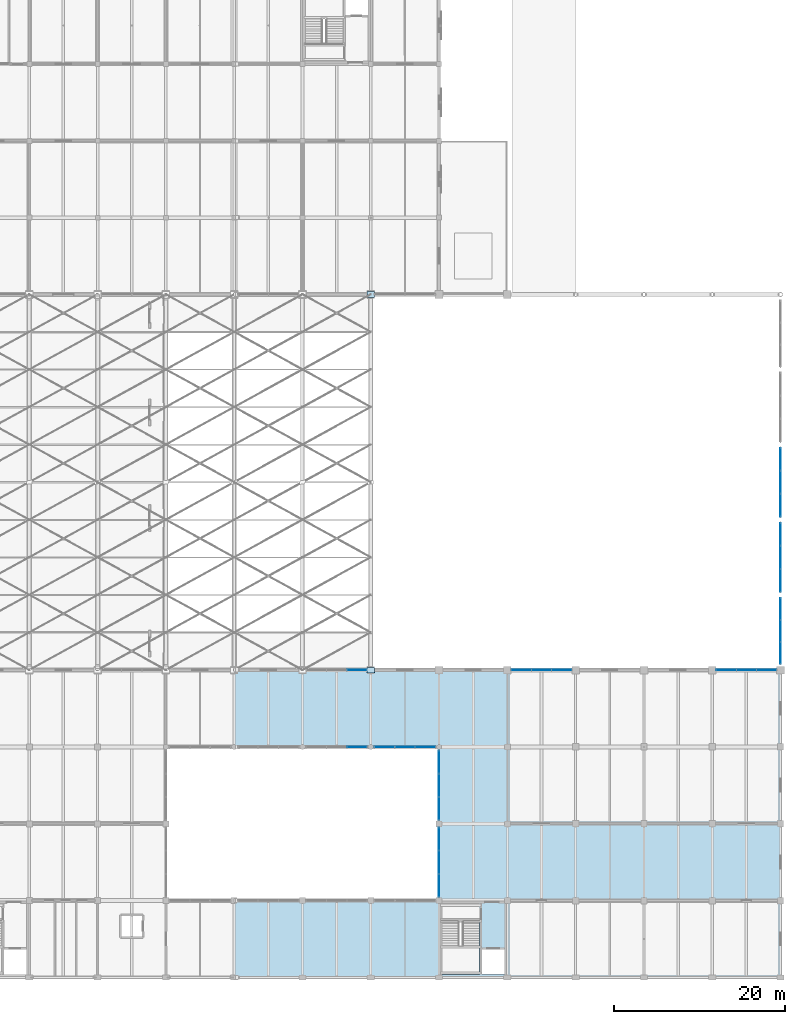
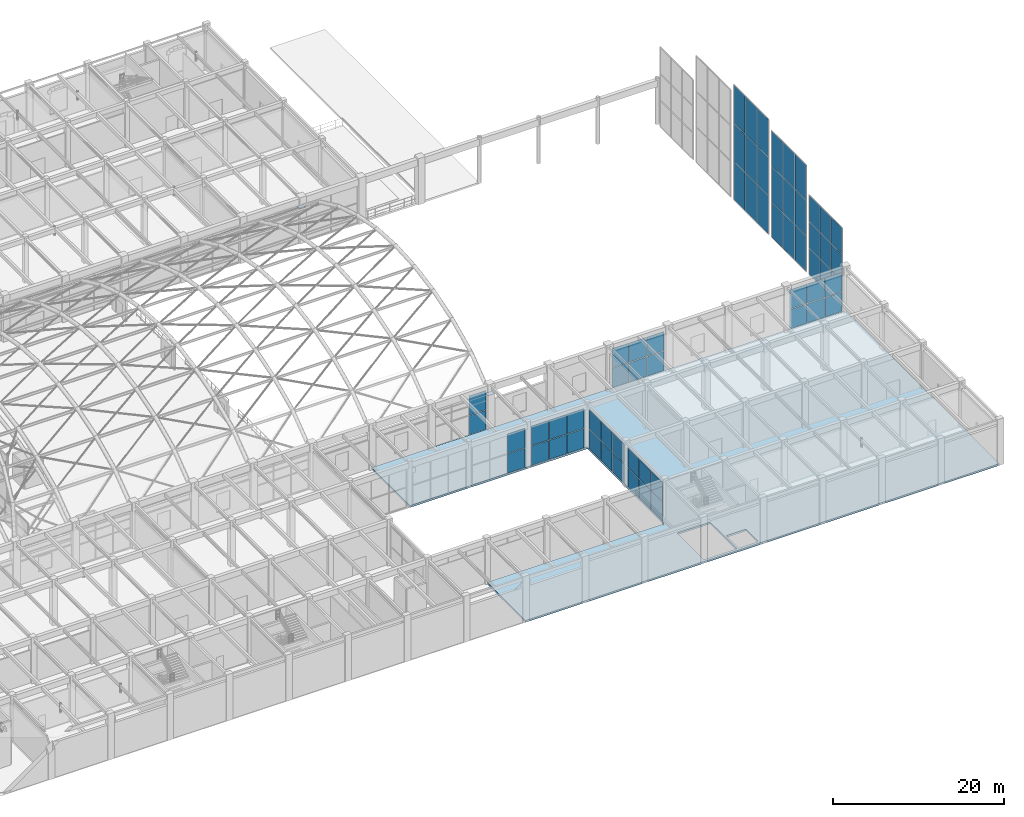
# One storey, part 118 of 163: 63 plates, 1 slab, 10 elements without a shape of their own.
"""IFC4 building model written with IfcOpenShell, lengths in metres."""

from ifc_helpers import new_model, si_unit, direction, frame, origin, origin_2d, place, context, subcontext, project, spatial, polyline, rectangle, outline, extrude, material, layer, layer_set, type_object, element, aggregate, save


model = new_model("IFC4")

# Units and contexts
model_context = context("Model", 3, precision=1e-05, world=origin(), true_north=direction((0.0, 1.0)))
body_context = subcontext(model_context, "Body", "Model", "MODEL_VIEW")
ifc_project = project(units=[si_unit("LENGTHUNIT", "METRE"), si_unit("AREAUNIT", "SQUARE_METRE"), si_unit("VOLUMEUNIT", "CUBIC_METRE"), si_unit("PLANEANGLEUNIT", "RADIAN"), si_unit("MASSUNIT", "GRAM", prefix="KILO")], contexts=[model_context])

# Site, building, storey
site_placement = place(None, origin())
site = spatial("IfcSite", under=ifc_project, at=site_placement, CompositionType="ELEMENT")
building_placement = place(site_placement, origin())
building = spatial("IfcBuilding", under=site, at=building_placement, Name="Varnabhumi Central Station", CompositionType="ELEMENT")
storey_placement = place(building_placement, frame((0.0, 0.0, 9.60009765625)))
storey = spatial("IfcBuildingStorey", under=building, at=storey_placement, Name="L02", CompositionType="ELEMENT", Elevation=9.60009765625)

# Curtain wall, plates
ifc_material_1 = material(Name="Anodised aluminium 6063-T6", Category="aluminium")
curtain_wall_type_1 = type_object("IfcCurtainWallType", Name="CW-SPINE-SCREEN-L2", PredefinedType="NOTDEFINED", material=ifc_material_1)
curtain_wall_1_placement = place(storey_placement, origin())
curtain_wall_1 = element("IfcCurtainWall", 1, at=curtain_wall_1_placement, inside=storey, type_object=curtain_wall_type_1, Name="Curtain Wall CW-SS218", PredefinedType="NOTDEFINED")
ifc_material_2 = material(Name="Laminated low-E double glazing", Category="glass")
ifc_layer_1 = layer(ifc_material_2, 0.035888671875, Name="Laminated low-E double glazing", Category="glass")
ifc_layer_set_1 = layer_set([ifc_layer_1], Name="Laminated low-E double glazing")
plate_type_1 = type_object("IfcPlateType", Name="CW-PNL-GLZ-3", PredefinedType="CURTAIN_PANEL", material=ifc_layer_set_1)
plate_1_placement = place(storey_placement, frame((177.63330078125, 36.0, 0.0400390625), z_axis=(0.0, 0.0, 1.0), x_axis=(1.0, 0.0, 0.0)))
plate_1 = element("IfcPlate", 2, at=plate_1_placement, type_object=plate_type_1, Name="Glazed Panel CW-SS218-P11", PredefinedType="CURTAIN_PANEL", context=body_context, shape_type="SweptSolid", body=[
    extrude(rectangle(XDim=2.28662109375, YDim=0.035888671875, at=origin_2d()), origin(), (0.0, 0.0, 1.0), 2.739990234375),
])
plate_2_placement = place(storey_placement, frame((177.63330078125, 36.0, 2.85986328125), z_axis=(0.0, 0.0, 1.0), x_axis=(1.0, 0.0, 0.0)))
plate_2 = element("IfcPlate", 3, at=plate_2_placement, type_object=plate_type_1, Name="Glazed Panel CW-SS218-P12", PredefinedType="CURTAIN_PANEL", context=body_context, shape_type="SweptSolid", body=[
    extrude(rectangle(XDim=2.28662109375, YDim=0.035888671875, at=origin_2d()), origin(), (0.0, 0.0, 1.0), 2.739990234375),
])
plate_3_placement = place(storey_placement, frame((180.0, 36.0, 0.0400390625), z_axis=(0.0, 0.0, 1.0), x_axis=(1.0, 0.0, 0.0)))
plate_3 = element("IfcPlate", 4, at=plate_3_placement, type_object=plate_type_1, Name="Glazed Panel CW-SS218-P21", PredefinedType="CURTAIN_PANEL", context=body_context, shape_type="SweptSolid", body=[
    extrude(rectangle(XDim=2.28662109375, YDim=0.035888671875, at=origin_2d()), origin(), (0.0, 0.0, 1.0), 2.739990234375),
])
plate_4_placement = place(storey_placement, frame((180.0, 36.0, 2.85986328125), z_axis=(0.0, 0.0, 1.0), x_axis=(1.0, 0.0, 0.0)))
plate_4 = element("IfcPlate", 5, at=plate_4_placement, type_object=plate_type_1, Name="Glazed Panel CW-SS218-P22", PredefinedType="CURTAIN_PANEL", context=body_context, shape_type="SweptSolid", body=[
    extrude(rectangle(XDim=2.28662109375, YDim=0.035888671875, at=origin_2d()), origin(), (0.0, 0.0, 1.0), 2.739990234375),
])
plate_5_placement = place(storey_placement, frame((182.36669921875, 36.0, 0.0400390625), z_axis=(0.0, 0.0, 1.0), x_axis=(1.0, 0.0, 0.0)))
plate_5 = element("IfcPlate", 6, at=plate_5_placement, type_object=plate_type_1, Name="Glazed Panel CW-SS218-P31", PredefinedType="CURTAIN_PANEL", context=body_context, shape_type="SweptSolid", body=[
    extrude(rectangle(XDim=2.28662109375, YDim=0.035888671875, at=origin_2d()), origin(), (0.0, 0.0, 1.0), 2.739990234375),
])
plate_6_placement = place(storey_placement, frame((182.36669921875, 36.0, 2.85986328125), z_axis=(0.0, 0.0, 1.0), x_axis=(1.0, 0.0, 0.0)))
plate_6 = element("IfcPlate", 7, at=plate_6_placement, type_object=plate_type_1, Name="Glazed Panel CW-SS218-P32", PredefinedType="CURTAIN_PANEL", context=body_context, shape_type="SweptSolid", body=[
    extrude(rectangle(XDim=2.28662109375, YDim=0.035888671875, at=origin_2d()), origin(), (0.0, 0.0, 1.0), 2.739990234375),
])
aggregate(curtain_wall_1, [plate_1, plate_2, plate_3, plate_4, plate_5, plate_6])

curtain_wall_type_2 = type_object("IfcCurtainWallType", Name="CW-PATIO-LOGGIA-L2", PredefinedType="NOTDEFINED", material=ifc_material_1)
curtain_wall_2_placement = place(storey_placement, origin())
curtain_wall_2 = element("IfcCurtainWall", 8, at=curtain_wall_2_placement, inside=storey, type_object=curtain_wall_type_2, Name="Curtain Wall CW-SP2W1", PredefinedType="NOTDEFINED")
plate_7_placement = place(storey_placement, frame((144.0, 10.780029296875, 0.0400390625), z_axis=(0.0, 0.0, 1.0), x_axis=(0.0, 1.0, 0.0)))
plate_7 = element("IfcPlate", 9, at=plate_7_placement, type_object=plate_type_1, Name="Glazed Panel CW-SP2W1-P11", PredefinedType="CURTAIN_PANEL", context=body_context, shape_type="SweptSolid", body=[
    extrude(rectangle(XDim=2.639892578125, YDim=0.035888671875, at=origin_2d()), origin(), (0.0, 0.0, 1.0), 2.739990234375),
])
plate_8_placement = place(storey_placement, frame((144.0, 10.780029296875, 2.85986328125), z_axis=(0.0, 0.0, 1.0), x_axis=(0.0, 1.0, 0.0)))
plate_8 = element("IfcPlate", 10, at=plate_8_placement, type_object=plate_type_1, Name="Glazed Panel CW-SP2W1-P12", PredefinedType="CURTAIN_PANEL", context=body_context, shape_type="SweptSolid", body=[
    extrude(rectangle(XDim=2.639892578125, YDim=0.035888671875, at=origin_2d()), origin(), (0.0, 0.0, 1.0), 2.739990234375),
])
plate_9_placement = place(storey_placement, frame((144.0, 13.5, 0.0400390625), z_axis=(0.0, 0.0, 1.0), x_axis=(0.0, 1.0, 0.0)))
plate_9 = element("IfcPlate", 11, at=plate_9_placement, type_object=plate_type_1, Name="Glazed Panel CW-SP2W1-P21", PredefinedType="CURTAIN_PANEL", context=body_context, shape_type="SweptSolid", body=[
    extrude(rectangle(XDim=2.639892578125, YDim=0.035888671875, at=origin_2d()), origin(), (0.0, 0.0, 1.0), 2.739990234375),
])
plate_10_placement = place(storey_placement, frame((144.0, 13.5, 2.85986328125), z_axis=(0.0, 0.0, 1.0), x_axis=(0.0, 1.0, 0.0)))
plate_10 = element("IfcPlate", 12, at=plate_10_placement, type_object=plate_type_1, Name="Glazed Panel CW-SP2W1-P22", PredefinedType="CURTAIN_PANEL", context=body_context, shape_type="SweptSolid", body=[
    extrude(rectangle(XDim=2.639892578125, YDim=0.035888671875, at=origin_2d()), origin(), (0.0, 0.0, 1.0), 2.739990234375),
])
plate_11_placement = place(storey_placement, frame((144.0, 16.219970703125, 0.0400390625), z_axis=(0.0, 0.0, 1.0), x_axis=(0.0, 1.0, 0.0)))
plate_11 = element("IfcPlate", 13, at=plate_11_placement, type_object=plate_type_1, Name="Glazed Panel CW-SP2W1-P31", PredefinedType="CURTAIN_PANEL", context=body_context, shape_type="SweptSolid", body=[
    extrude(rectangle(XDim=2.639892578125, YDim=0.035888671875, at=origin_2d()), origin(), (0.0, 0.0, 1.0), 2.739990234375),
])
plate_12_placement = place(storey_placement, frame((144.0, 16.219970703125, 2.85986328125), z_axis=(0.0, 0.0, 1.0), x_axis=(0.0, 1.0, 0.0)))
plate_12 = element("IfcPlate", 14, at=plate_12_placement, type_object=plate_type_1, Name="Glazed Panel CW-SP2W1-P32", PredefinedType="CURTAIN_PANEL", context=body_context, shape_type="SweptSolid", body=[
    extrude(rectangle(XDim=2.639892578125, YDim=0.035888671875, at=origin_2d()), origin(), (0.0, 0.0, 1.0), 2.739990234375),
])
aggregate(curtain_wall_2, [plate_7, plate_8, plate_9, plate_10, plate_11, plate_12])

curtain_wall_3_placement = place(storey_placement, origin())
curtain_wall_3 = element("IfcCurtainWall", 15, at=curtain_wall_3_placement, inside=storey, type_object=curtain_wall_type_2, Name="Curtain Wall CW-SP2W2", PredefinedType="NOTDEFINED")
plate_13_placement = place(storey_placement, frame((144.0, 19.780029296875, 0.0400390625), z_axis=(0.0, 0.0, 1.0), x_axis=(0.0, 1.0, 0.0)))
plate_13 = element("IfcPlate", 16, at=plate_13_placement, type_object=plate_type_1, Name="Glazed Panel CW-SP2W2-P11", PredefinedType="CURTAIN_PANEL", context=body_context, shape_type="SweptSolid", body=[
    extrude(rectangle(XDim=2.639892578125, YDim=0.035888671875, at=origin_2d()), origin(), (0.0, 0.0, 1.0), 2.739990234375),
])
plate_14_placement = place(storey_placement, frame((144.0, 19.780029296875, 2.85986328125), z_axis=(0.0, 0.0, 1.0), x_axis=(0.0, 1.0, 0.0)))
plate_14 = element("IfcPlate", 17, at=plate_14_placement, type_object=plate_type_1, Name="Glazed Panel CW-SP2W2-P12", PredefinedType="CURTAIN_PANEL", context=body_context, shape_type="SweptSolid", body=[
    extrude(rectangle(XDim=2.639892578125, YDim=0.035888671875, at=origin_2d()), origin(), (0.0, 0.0, 1.0), 2.739990234375),
])
plate_15_placement = place(storey_placement, frame((144.0, 22.5, 0.0400390625), z_axis=(0.0, 0.0, 1.0), x_axis=(0.0, 1.0, 0.0)))
plate_15 = element("IfcPlate", 18, at=plate_15_placement, type_object=plate_type_1, Name="Glazed Panel CW-SP2W2-P21", PredefinedType="CURTAIN_PANEL", context=body_context, shape_type="SweptSolid", body=[
    extrude(rectangle(XDim=2.639892578125, YDim=0.035888671875, at=origin_2d()), origin(), (0.0, 0.0, 1.0), 2.739990234375),
])
plate_16_placement = place(storey_placement, frame((144.0, 22.5, 2.85986328125), z_axis=(0.0, 0.0, 1.0), x_axis=(0.0, 1.0, 0.0)))
plate_16 = element("IfcPlate", 19, at=plate_16_placement, type_object=plate_type_1, Name="Glazed Panel CW-SP2W2-P22", PredefinedType="CURTAIN_PANEL", context=body_context, shape_type="SweptSolid", body=[
    extrude(rectangle(XDim=2.639892578125, YDim=0.035888671875, at=origin_2d()), origin(), (0.0, 0.0, 1.0), 2.739990234375),
])
plate_17_placement = place(storey_placement, frame((144.0, 25.219970703125, 0.0400390625), z_axis=(0.0, 0.0, 1.0), x_axis=(0.0, 1.0, 0.0)))
plate_17 = element("IfcPlate", 20, at=plate_17_placement, type_object=plate_type_1, Name="Glazed Panel CW-SP2W2-P31", PredefinedType="CURTAIN_PANEL", context=body_context, shape_type="SweptSolid", body=[
    extrude(rectangle(XDim=2.639892578125, YDim=0.035888671875, at=origin_2d()), origin(), (0.0, 0.0, 1.0), 2.739990234375),
])
plate_18_placement = place(storey_placement, frame((144.0, 25.219970703125, 2.85986328125), z_axis=(0.0, 0.0, 1.0), x_axis=(0.0, 1.0, 0.0)))
plate_18 = element("IfcPlate", 21, at=plate_18_placement, type_object=plate_type_1, Name="Glazed Panel CW-SP2W2-P32", PredefinedType="CURTAIN_PANEL", context=body_context, shape_type="SweptSolid", body=[
    extrude(rectangle(XDim=2.639892578125, YDim=0.035888671875, at=origin_2d()), origin(), (0.0, 0.0, 1.0), 2.739990234375),
])
aggregate(curtain_wall_3, [plate_13, plate_14, plate_15, plate_16, plate_17, plate_18])

curtain_wall_4_placement = place(storey_placement, origin())
curtain_wall_4 = element("IfcCurtainWall", 22, at=curtain_wall_4_placement, inside=storey, type_object=curtain_wall_type_1, Name="Curtain Wall CW-SS212", PredefinedType="NOTDEFINED")
ifc_layer_2 = layer(ifc_material_2, 0.035888671875, Name="Laminated low-E double glazing", Category="glass")
ifc_layer_set_2 = layer_set([ifc_layer_2], Name="Laminated low-E double glazing")
plate_type_2 = type_object("IfcPlateType", Name="CW-PNL-GLZ-6", PredefinedType="CURTAIN_PANEL", material=ifc_layer_set_2)
plate_19_placement = place(storey_placement, frame((134.36669921875, 36.0, 0.0400390625), z_axis=(0.0, 0.0, 1.0), x_axis=(1.0, 0.0, 0.0)))
plate_19 = element("IfcPlate", 23, at=plate_19_placement, type_object=plate_type_2, Name="Glazed Panel CW-SS212-P31", PredefinedType="CURTAIN_PANEL", context=body_context, shape_type="SweptSolid", body=[
    extrude(rectangle(XDim=2.28662109375, YDim=0.035888671875, at=origin_2d()), origin(), (0.0, 0.0, 1.0), 2.739990234375),
])
plate_20_placement = place(storey_placement, frame((134.36669921875, 36.0, 2.85986328125), z_axis=(0.0, 0.0, 1.0), x_axis=(1.0, 0.0, 0.0)))
plate_20 = element("IfcPlate", 24, at=plate_20_placement, type_object=plate_type_2, Name="Glazed Panel CW-SS212-P32", PredefinedType="CURTAIN_PANEL", context=body_context, shape_type="SweptSolid", body=[
    extrude(rectangle(XDim=2.28662109375, YDim=0.035888671875, at=origin_2d()), origin(), (0.0, 0.0, 1.0), 2.739990234375),
])
aggregate(curtain_wall_4, [plate_19, plate_20])

curtain_wall_5_placement = place(storey_placement, origin())
curtain_wall_5 = element("IfcCurtainWall", 25, at=curtain_wall_5_placement, inside=storey, type_object=curtain_wall_type_2, Name="Curtain Wall CW-SP2N3", PredefinedType="NOTDEFINED")
ifc_layer_3 = layer(ifc_material_2, 0.035888671875, Name="Laminated low-E double glazing", Category="glass")
ifc_layer_set_3 = layer_set([ifc_layer_3], Name="Laminated low-E double glazing")
plate_type_3 = type_object("IfcPlateType", Name="CW-PNL-GLZ-8", PredefinedType="CURTAIN_PANEL", material=ifc_layer_set_3)
plate_21_placement = place(storey_placement, frame((134.38671875, 27.0, 0.0400390625), z_axis=(0.0, 0.0, 1.0), x_axis=(1.0, 0.0, 0.0)))
plate_21 = element("IfcPlate", 26, at=plate_21_placement, type_object=plate_type_3, Name="Glazed Panel CW-SP2N3-P31", PredefinedType="CURTAIN_PANEL", context=body_context, shape_type="SweptSolid", body=[
    extrude(rectangle(XDim=2.306640625, YDim=0.035888671875, at=origin_2d()), origin(), (0.0, 0.0, 1.0), 2.739990234375),
])
plate_22_placement = place(storey_placement, frame((134.38671875, 27.0, 2.85986328125), z_axis=(0.0, 0.0, 1.0), x_axis=(1.0, 0.0, 0.0)))
plate_22 = element("IfcPlate", 27, at=plate_22_placement, type_object=plate_type_3, Name="Glazed Panel CW-SP2N3-P32", PredefinedType="CURTAIN_PANEL", context=body_context, shape_type="SweptSolid", body=[
    extrude(rectangle(XDim=2.306640625, YDim=0.035888671875, at=origin_2d()), origin(), (0.0, 0.0, 1.0), 2.739990234375),
])
aggregate(curtain_wall_5, [plate_21, plate_22])

curtain_wall_type_3 = type_object("IfcCurtainWallType", Name="CW-VAULT-ARCH-V5", PredefinedType="NOTDEFINED", material=ifc_material_1)
curtain_wall_6_placement = place(storey_placement, origin())
curtain_wall_6 = element("IfcCurtainWall", 28, at=curtain_wall_6_placement, inside=storey, type_object=curtain_wall_type_3, Name="Curtain Wall CW-WG1", PredefinedType="NOTDEFINED")
ifc_layer_4 = layer(ifc_material_2, 0.035888671875, Name="Laminated low-E double glazing", Category="glass")
ifc_layer_set_4 = layer_set([ifc_layer_4], Name="Laminated low-E double glazing")
plate_type_4 = type_object("IfcPlateType", Name="CW-PNL-GLZ-9", PredefinedType="CURTAIN_PANEL", material=ifc_layer_set_4)
plate_23_placement = place(storey_placement, frame((184.0, 38.00830078125, 0.0400390625), z_axis=(0.0, 0.0, 1.0), x_axis=(0.0, 1.0, 0.0)))
plate_23 = element("IfcPlate", 29, at=plate_23_placement, type_object=plate_type_4, Name="Glazed Panel CW-WG1-P11", PredefinedType="CURTAIN_PANEL", context=body_context, shape_type="SweptSolid", body=[
    extrude(rectangle(XDim=2.49658203125, YDim=0.035888671875, at=origin_2d()), origin(), (0.0, 0.0, 1.0), 3.7021484375),
])
plate_24_placement = place(storey_placement, frame((184.0, 38.00830078125, 3.822021484375), z_axis=(0.0, 0.0, 1.0), x_axis=(0.0, 1.0, 0.0)))
plate_24 = element("IfcPlate", 30, at=plate_24_placement, type_object=plate_type_4, Name="Glazed Panel CW-WG1-P12", PredefinedType="CURTAIN_PANEL", context=body_context, shape_type="SweptSolid", body=[
    extrude(rectangle(XDim=2.49658203125, YDim=0.035888671875, at=origin_2d()), origin(), (0.0, 0.0, 1.0), 3.7021484375),
])
plate_25_placement = place(storey_placement, frame((184.0, 38.00830078125, 7.604248046875), z_axis=(0.0, 0.0, 1.0), x_axis=(0.0, 1.0, 0.0)))
plate_25 = element("IfcPlate", 31, at=plate_25_placement, type_object=plate_type_4, Name="Glazed Panel CW-WG1-P13", PredefinedType="CURTAIN_PANEL", context=body_context, shape_type="SweptSolid", body=[
    extrude(rectangle(XDim=2.49658203125, YDim=0.035888671875, at=origin_2d()), origin(), (0.0, 0.0, 1.0), 3.7021484375),
])
plate_26_placement = place(storey_placement, frame((184.0, 40.5849609375, 0.0400390625), z_axis=(0.0, 0.0, 1.0), x_axis=(0.0, 1.0, 0.0)))
plate_26 = element("IfcPlate", 32, at=plate_26_placement, type_object=plate_type_4, Name="Glazed Panel CW-WG1-P21", PredefinedType="CURTAIN_PANEL", context=body_context, shape_type="SweptSolid", body=[
    extrude(rectangle(XDim=2.49658203125, YDim=0.035888671875, at=origin_2d()), origin(), (0.0, 0.0, 1.0), 3.7021484375),
])
plate_27_placement = place(storey_placement, frame((184.0, 40.5849609375, 3.822021484375), z_axis=(0.0, 0.0, 1.0), x_axis=(0.0, 1.0, 0.0)))
plate_27 = element("IfcPlate", 33, at=plate_27_placement, type_object=plate_type_4, Name="Glazed Panel CW-WG1-P22", PredefinedType="CURTAIN_PANEL", context=body_context, shape_type="SweptSolid", body=[
    extrude(rectangle(XDim=2.49658203125, YDim=0.035888671875, at=origin_2d()), origin(), (0.0, 0.0, 1.0), 3.7021484375),
])
plate_28_placement = place(storey_placement, frame((184.0, 40.5849609375, 7.604248046875), z_axis=(0.0, 0.0, 1.0), x_axis=(0.0, 1.0, 0.0)))
plate_28 = element("IfcPlate", 34, at=plate_28_placement, type_object=plate_type_4, Name="Glazed Panel CW-WG1-P23", PredefinedType="CURTAIN_PANEL", context=body_context, shape_type="SweptSolid", body=[
    extrude(rectangle(XDim=2.49658203125, YDim=0.035888671875, at=origin_2d()), origin(), (0.0, 0.0, 1.0), 3.7021484375),
])
plate_29_placement = place(storey_placement, frame((184.0, 43.16162109375, 0.0400390625), z_axis=(0.0, 0.0, 1.0), x_axis=(0.0, 1.0, 0.0)))
plate_29 = element("IfcPlate", 35, at=plate_29_placement, type_object=plate_type_4, Name="Glazed Panel CW-WG1-P31", PredefinedType="CURTAIN_PANEL", context=body_context, shape_type="SweptSolid", body=[
    extrude(rectangle(XDim=2.49658203125, YDim=0.035888671875, at=origin_2d()), origin(), (0.0, 0.0, 1.0), 3.7021484375),
])
plate_30_placement = place(storey_placement, frame((184.0, 43.16162109375, 3.822021484375), z_axis=(0.0, 0.0, 1.0), x_axis=(0.0, 1.0, 0.0)))
plate_30 = element("IfcPlate", 36, at=plate_30_placement, type_object=plate_type_4, Name="Glazed Panel CW-WG1-P32", PredefinedType="CURTAIN_PANEL", context=body_context, shape_type="SweptSolid", body=[
    extrude(rectangle(XDim=2.49658203125, YDim=0.035888671875, at=origin_2d()), origin(), (0.0, 0.0, 1.0), 3.7021484375),
])
plate_31_placement = place(storey_placement, frame((184.0, 43.16162109375, 7.604248046875), z_axis=(0.0, 0.0, 1.0), x_axis=(0.0, 1.0, 0.0)))
plate_31 = element("IfcPlate", 37, at=plate_31_placement, type_object=plate_type_4, Name="Glazed Panel CW-WG1-P33", PredefinedType="CURTAIN_PANEL", context=body_context, shape_type="SweptSolid", body=[
    extrude(rectangle(XDim=2.49658203125, YDim=0.035888671875, at=origin_2d()), origin(), (0.0, 0.0, 1.0), 3.7021484375),
])
aggregate(curtain_wall_6, [plate_23, plate_24, plate_25, plate_26, plate_27, plate_28, plate_29, plate_30, plate_31])

curtain_wall_7_placement = place(storey_placement, origin())
curtain_wall_7 = element("IfcCurtainWall", 38, at=curtain_wall_7_placement, inside=storey, type_object=curtain_wall_type_3, Name="Curtain Wall CW-WG2", PredefinedType="NOTDEFINED")
plate_32_placement = place(storey_placement, frame((184.0, 46.5, 0.0400390625), z_axis=(0.0, 0.0, 1.0), x_axis=(0.0, 1.0, 0.0)))
plate_32 = element("IfcPlate", 39, at=plate_32_placement, type_object=plate_type_4, Name="Glazed Panel CW-WG2-P11", PredefinedType="CURTAIN_PANEL", context=body_context, shape_type="SweptSolid", body=[
    extrude(rectangle(XDim=2.6201171875, YDim=0.035888671875, at=origin_2d()), origin(), (0.0, 0.0, 1.0), 4.987060546875),
])
plate_33_placement = place(storey_placement, frame((184.0, 46.5, 5.10693359375), z_axis=(0.0, 0.0, 1.0), x_axis=(0.0, 1.0, 0.0)))
plate_33 = element("IfcPlate", 40, at=plate_33_placement, type_object=plate_type_4, Name="Glazed Panel CW-WG2-P12", PredefinedType="CURTAIN_PANEL", context=body_context, shape_type="SweptSolid", body=[
    extrude(rectangle(XDim=2.6201171875, YDim=0.035888671875, at=origin_2d()), origin(), (0.0, 0.0, 1.0), 4.987060546875),
])
plate_34_placement = place(storey_placement, frame((184.0, 46.5, 10.173828125), z_axis=(0.0, 0.0, 1.0), x_axis=(0.0, 1.0, 0.0)))
plate_34 = element("IfcPlate", 41, at=plate_34_placement, type_object=plate_type_4, Name="Glazed Panel CW-WG2-P13", PredefinedType="CURTAIN_PANEL", context=body_context, shape_type="SweptSolid", body=[
    extrude(rectangle(XDim=2.6201171875, YDim=0.035888671875, at=origin_2d()), origin(), (0.0, 0.0, 1.0), 4.987060546875),
])
plate_35_placement = place(storey_placement, frame((184.0, 49.199951171875, 0.0400390625), z_axis=(0.0, 0.0, 1.0), x_axis=(0.0, 1.0, 0.0)))
plate_35 = element("IfcPlate", 42, at=plate_35_placement, type_object=plate_type_4, Name="Glazed Panel CW-WG2-P21", PredefinedType="CURTAIN_PANEL", context=body_context, shape_type="SweptSolid", body=[
    extrude(rectangle(XDim=2.6201171875, YDim=0.035888671875, at=origin_2d()), origin(), (0.0, 0.0, 1.0), 4.987060546875),
])
plate_36_placement = place(storey_placement, frame((184.0, 49.199951171875, 5.10693359375), z_axis=(0.0, 0.0, 1.0), x_axis=(0.0, 1.0, 0.0)))
plate_36 = element("IfcPlate", 43, at=plate_36_placement, type_object=plate_type_4, Name="Glazed Panel CW-WG2-P22", PredefinedType="CURTAIN_PANEL", context=body_context, shape_type="SweptSolid", body=[
    extrude(rectangle(XDim=2.6201171875, YDim=0.035888671875, at=origin_2d()), origin(), (0.0, 0.0, 1.0), 4.987060546875),
])
plate_37_placement = place(storey_placement, frame((184.0, 49.199951171875, 10.173828125), z_axis=(0.0, 0.0, 1.0), x_axis=(0.0, 1.0, 0.0)))
plate_37 = element("IfcPlate", 44, at=plate_37_placement, type_object=plate_type_4, Name="Glazed Panel CW-WG2-P23", PredefinedType="CURTAIN_PANEL", context=body_context, shape_type="SweptSolid", body=[
    extrude(rectangle(XDim=2.6201171875, YDim=0.035888671875, at=origin_2d()), origin(), (0.0, 0.0, 1.0), 4.987060546875),
])
plate_38_placement = place(storey_placement, frame((184.0, 51.89990234375, 0.0400390625), z_axis=(0.0, 0.0, 1.0), x_axis=(0.0, 1.0, 0.0)))
plate_38 = element("IfcPlate", 45, at=plate_38_placement, type_object=plate_type_4, Name="Glazed Panel CW-WG2-P31", PredefinedType="CURTAIN_PANEL", context=body_context, shape_type="SweptSolid", body=[
    extrude(rectangle(XDim=2.6201171875, YDim=0.035888671875, at=origin_2d()), origin(), (0.0, 0.0, 1.0), 4.987060546875),
])
plate_39_placement = place(storey_placement, frame((184.0, 51.89990234375, 5.10693359375), z_axis=(0.0, 0.0, 1.0), x_axis=(0.0, 1.0, 0.0)))
plate_39 = element("IfcPlate", 46, at=plate_39_placement, type_object=plate_type_4, Name="Glazed Panel CW-WG2-P32", PredefinedType="CURTAIN_PANEL", context=body_context, shape_type="SweptSolid", body=[
    extrude(rectangle(XDim=2.6201171875, YDim=0.035888671875, at=origin_2d()), origin(), (0.0, 0.0, 1.0), 4.987060546875),
])
plate_40_placement = place(storey_placement, frame((184.0, 51.89990234375, 10.173828125), z_axis=(0.0, 0.0, 1.0), x_axis=(0.0, 1.0, 0.0)))
plate_40 = element("IfcPlate", 47, at=plate_40_placement, type_object=plate_type_4, Name="Glazed Panel CW-WG2-P33", PredefinedType="CURTAIN_PANEL", context=body_context, shape_type="SweptSolid", body=[
    extrude(rectangle(XDim=2.6201171875, YDim=0.035888671875, at=origin_2d()), origin(), (0.0, 0.0, 1.0), 4.987060546875),
])
aggregate(curtain_wall_7, [plate_32, plate_33, plate_34, plate_35, plate_36, plate_37, plate_38, plate_39, plate_40])

curtain_wall_8_placement = place(storey_placement, origin())
curtain_wall_8 = element("IfcCurtainWall", 48, at=curtain_wall_8_placement, inside=storey, type_object=curtain_wall_type_3, Name="Curtain Wall CW-WG3", PredefinedType="NOTDEFINED")
plate_41_placement = place(storey_placement, frame((184.0, 55.300048828125, 0.039794921875), z_axis=(0.0, 0.0, 1.0), x_axis=(0.0, 1.0, 0.0)))
plate_41 = element("IfcPlate", 49, at=plate_41_placement, type_object=plate_type_4, Name="Glazed Panel CW-WG3-P11", PredefinedType="CURTAIN_PANEL", context=body_context, shape_type="SweptSolid", body=[
    extrude(rectangle(XDim=2.6201171875, YDim=0.035888671875, at=origin_2d()), origin(), (0.0, 0.0, 1.0), 5.38671875),
])
plate_42_placement = place(storey_placement, frame((184.0, 55.300048828125, 5.506591796875), z_axis=(0.0, 0.0, 1.0), x_axis=(0.0, 1.0, 0.0)))
plate_42 = element("IfcPlate", 50, at=plate_42_placement, type_object=plate_type_4, Name="Glazed Panel CW-WG3-P12", PredefinedType="CURTAIN_PANEL", context=body_context, shape_type="SweptSolid", body=[
    extrude(rectangle(XDim=2.6201171875, YDim=0.035888671875, at=origin_2d()), origin(), (0.0, 0.0, 1.0), 5.38671875),
])
plate_43_placement = place(storey_placement, frame((184.0, 55.300048828125, 10.97314453125), z_axis=(0.0, 0.0, 1.0), x_axis=(0.0, 1.0, 0.0)))
plate_43 = element("IfcPlate", 51, at=plate_43_placement, type_object=plate_type_4, Name="Glazed Panel CW-WG3-P13", PredefinedType="CURTAIN_PANEL", context=body_context, shape_type="SweptSolid", body=[
    extrude(rectangle(XDim=2.6201171875, YDim=0.035888671875, at=origin_2d()), origin(), (0.0, 0.0, 1.0), 5.38671875),
])
plate_44_placement = place(storey_placement, frame((184.0, 58.0, 0.039794921875), z_axis=(0.0, 0.0, 1.0), x_axis=(0.0, 1.0, 0.0)))
plate_44 = element("IfcPlate", 52, at=plate_44_placement, type_object=plate_type_4, Name="Glazed Panel CW-WG3-P21", PredefinedType="CURTAIN_PANEL", context=body_context, shape_type="SweptSolid", body=[
    extrude(rectangle(XDim=2.6201171875, YDim=0.035888671875, at=origin_2d()), origin(), (0.0, 0.0, 1.0), 5.38671875),
])
plate_45_placement = place(storey_placement, frame((184.0, 58.0, 5.506591796875), z_axis=(0.0, 0.0, 1.0), x_axis=(0.0, 1.0, 0.0)))
plate_45 = element("IfcPlate", 53, at=plate_45_placement, type_object=plate_type_4, Name="Glazed Panel CW-WG3-P22", PredefinedType="CURTAIN_PANEL", context=body_context, shape_type="SweptSolid", body=[
    extrude(rectangle(XDim=2.6201171875, YDim=0.035888671875, at=origin_2d()), origin(), (0.0, 0.0, 1.0), 5.38671875),
])
plate_46_placement = place(storey_placement, frame((184.0, 58.0, 10.97314453125), z_axis=(0.0, 0.0, 1.0), x_axis=(0.0, 1.0, 0.0)))
plate_46 = element("IfcPlate", 54, at=plate_46_placement, type_object=plate_type_4, Name="Glazed Panel CW-WG3-P23", PredefinedType="CURTAIN_PANEL", context=body_context, shape_type="SweptSolid", body=[
    extrude(rectangle(XDim=2.6201171875, YDim=0.035888671875, at=origin_2d()), origin(), (0.0, 0.0, 1.0), 5.38671875),
])
plate_47_placement = place(storey_placement, frame((184.0, 60.699951171875, 0.039794921875), z_axis=(0.0, 0.0, 1.0), x_axis=(0.0, 1.0, 0.0)))
plate_47 = element("IfcPlate", 55, at=plate_47_placement, type_object=plate_type_4, Name="Glazed Panel CW-WG3-P31", PredefinedType="CURTAIN_PANEL", context=body_context, shape_type="SweptSolid", body=[
    extrude(rectangle(XDim=2.6201171875, YDim=0.035888671875, at=origin_2d()), origin(), (0.0, 0.0, 1.0), 5.38671875),
])
plate_48_placement = place(storey_placement, frame((184.0, 60.699951171875, 5.506591796875), z_axis=(0.0, 0.0, 1.0), x_axis=(0.0, 1.0, 0.0)))
plate_48 = element("IfcPlate", 56, at=plate_48_placement, type_object=plate_type_4, Name="Glazed Panel CW-WG3-P32", PredefinedType="CURTAIN_PANEL", context=body_context, shape_type="SweptSolid", body=[
    extrude(rectangle(XDim=2.6201171875, YDim=0.035888671875, at=origin_2d()), origin(), (0.0, 0.0, 1.0), 5.38671875),
])
plate_49_placement = place(storey_placement, frame((184.0, 60.699951171875, 10.97314453125), z_axis=(0.0, 0.0, 1.0), x_axis=(0.0, 1.0, 0.0)))
plate_49 = element("IfcPlate", 57, at=plate_49_placement, type_object=plate_type_4, Name="Glazed Panel CW-WG3-P33", PredefinedType="CURTAIN_PANEL", context=body_context, shape_type="SweptSolid", body=[
    extrude(rectangle(XDim=2.6201171875, YDim=0.035888671875, at=origin_2d()), origin(), (0.0, 0.0, 1.0), 5.38671875),
])
aggregate(curtain_wall_8, [plate_41, plate_42, plate_43, plate_44, plate_45, plate_46, plate_47, plate_48, plate_49])

curtain_wall_9_placement = place(storey_placement, origin())
curtain_wall_9 = element("IfcCurtainWall", 58, at=curtain_wall_9_placement, inside=storey, type_object=curtain_wall_type_1, Name="Curtain Wall CW-SS215", PredefinedType="NOTDEFINED")
plate_50_placement = place(storey_placement, frame((153.63330078125, 36.0, 0.0400390625), z_axis=(0.0, 0.0, 1.0), x_axis=(1.0, 0.0, 0.0)))
plate_50 = element("IfcPlate", 59, at=plate_50_placement, type_object=plate_type_4, Name="Glazed Panel CW-SS215-P11", PredefinedType="CURTAIN_PANEL", context=body_context, shape_type="SweptSolid", body=[
    extrude(rectangle(XDim=2.28662109375, YDim=0.035888671875, at=origin_2d()), origin(), (0.0, 0.0, 1.0), 2.739990234375),
])
plate_51_placement = place(storey_placement, frame((153.63330078125, 36.0, 2.85986328125), z_axis=(0.0, 0.0, 1.0), x_axis=(1.0, 0.0, 0.0)))
plate_51 = element("IfcPlate", 60, at=plate_51_placement, type_object=plate_type_4, Name="Glazed Panel CW-SS215-P12", PredefinedType="CURTAIN_PANEL", context=body_context, shape_type="SweptSolid", body=[
    extrude(rectangle(XDim=2.28662109375, YDim=0.035888671875, at=origin_2d()), origin(), (0.0, 0.0, 1.0), 2.739990234375),
])
plate_52_placement = place(storey_placement, frame((156.0, 36.0, 0.0400390625), z_axis=(0.0, 0.0, 1.0), x_axis=(1.0, 0.0, 0.0)))
plate_52 = element("IfcPlate", 61, at=plate_52_placement, type_object=plate_type_4, Name="Glazed Panel CW-SS215-P21", PredefinedType="CURTAIN_PANEL", context=body_context, shape_type="SweptSolid", body=[
    extrude(rectangle(XDim=2.28662109375, YDim=0.035888671875, at=origin_2d()), origin(), (0.0, 0.0, 1.0), 2.739990234375),
])
plate_53_placement = place(storey_placement, frame((156.0, 36.0, 2.85986328125), z_axis=(0.0, 0.0, 1.0), x_axis=(1.0, 0.0, 0.0)))
plate_53 = element("IfcPlate", 62, at=plate_53_placement, type_object=plate_type_4, Name="Glazed Panel CW-SS215-P22", PredefinedType="CURTAIN_PANEL", context=body_context, shape_type="SweptSolid", body=[
    extrude(rectangle(XDim=2.28662109375, YDim=0.035888671875, at=origin_2d()), origin(), (0.0, 0.0, 1.0), 2.739990234375),
])
plate_54_placement = place(storey_placement, frame((158.36669921875, 36.0, 0.0400390625), z_axis=(0.0, 0.0, 1.0), x_axis=(1.0, 0.0, 0.0)))
plate_54 = element("IfcPlate", 63, at=plate_54_placement, type_object=plate_type_4, Name="Glazed Panel CW-SS215-P31", PredefinedType="CURTAIN_PANEL", context=body_context, shape_type="SweptSolid", body=[
    extrude(rectangle(XDim=2.28662109375, YDim=0.035888671875, at=origin_2d()), origin(), (0.0, 0.0, 1.0), 2.739990234375),
])
plate_55_placement = place(storey_placement, frame((158.36669921875, 36.0, 2.85986328125), z_axis=(0.0, 0.0, 1.0), x_axis=(1.0, 0.0, 0.0)))
plate_55 = element("IfcPlate", 64, at=plate_55_placement, type_object=plate_type_4, Name="Glazed Panel CW-SS215-P32", PredefinedType="CURTAIN_PANEL", context=body_context, shape_type="SweptSolid", body=[
    extrude(rectangle(XDim=2.28662109375, YDim=0.035888671875, at=origin_2d()), origin(), (0.0, 0.0, 1.0), 2.739990234375),
])
aggregate(curtain_wall_9, [plate_50, plate_51, plate_52, plate_53, plate_54, plate_55])

curtain_wall_10_placement = place(storey_placement, origin())
curtain_wall_10 = element("IfcCurtainWall", 65, at=curtain_wall_10_placement, inside=storey, type_object=curtain_wall_type_2, Name="Curtain Wall CW-SP2N4", PredefinedType="NOTDEFINED")
plate_56_placement = place(storey_placement, frame((137.61328125, 27.0, 0.0400390625), z_axis=(0.0, 0.0, 1.0), x_axis=(1.0, 0.0, 0.0)))
plate_56 = element("IfcPlate", 66, at=plate_56_placement, type_object=plate_type_4, Name="Glazed Panel CW-SP2N4-P11", PredefinedType="CURTAIN_PANEL", context=body_context, shape_type="SweptSolid", body=[
    extrude(rectangle(XDim=2.306640625, YDim=0.035888671875, at=origin_2d()), origin(), (0.0, 0.0, 1.0), 2.739990234375),
])
plate_57_placement = place(storey_placement, frame((137.61328125, 27.0, 2.85986328125), z_axis=(0.0, 0.0, 1.0), x_axis=(1.0, 0.0, 0.0)))
plate_57 = element("IfcPlate", 67, at=plate_57_placement, type_object=plate_type_4, Name="Glazed Panel CW-SP2N4-P12", PredefinedType="CURTAIN_PANEL", context=body_context, shape_type="SweptSolid", body=[
    extrude(rectangle(XDim=2.306640625, YDim=0.035888671875, at=origin_2d()), origin(), (0.0, 0.0, 1.0), 2.739990234375),
])
plate_58_placement = place(storey_placement, frame((140.0, 27.0, 0.0400390625), z_axis=(0.0, 0.0, 1.0), x_axis=(1.0, 0.0, 0.0)))
plate_58 = element("IfcPlate", 68, at=plate_58_placement, type_object=plate_type_4, Name="Glazed Panel CW-SP2N4-P21", PredefinedType="CURTAIN_PANEL", context=body_context, shape_type="SweptSolid", body=[
    extrude(rectangle(XDim=2.306640625, YDim=0.035888671875, at=origin_2d()), origin(), (0.0, 0.0, 1.0), 2.739990234375),
])
plate_59_placement = place(storey_placement, frame((140.0, 27.0, 2.85986328125), z_axis=(0.0, 0.0, 1.0), x_axis=(1.0, 0.0, 0.0)))
plate_59 = element("IfcPlate", 69, at=plate_59_placement, type_object=plate_type_4, Name="Glazed Panel CW-SP2N4-P22", PredefinedType="CURTAIN_PANEL", context=body_context, shape_type="SweptSolid", body=[
    extrude(rectangle(XDim=2.306640625, YDim=0.035888671875, at=origin_2d()), origin(), (0.0, 0.0, 1.0), 2.739990234375),
])
plate_60_placement = place(storey_placement, frame((142.38671875, 27.0, 0.0400390625), z_axis=(0.0, 0.0, 1.0), x_axis=(1.0, 0.0, 0.0)))
plate_60 = element("IfcPlate", 70, at=plate_60_placement, type_object=plate_type_4, Name="Glazed Panel CW-SP2N4-P31", PredefinedType="CURTAIN_PANEL", context=body_context, shape_type="SweptSolid", body=[
    extrude(rectangle(XDim=2.306640625, YDim=0.035888671875, at=origin_2d()), origin(), (0.0, 0.0, 1.0), 2.739990234375),
])
plate_61_placement = place(storey_placement, frame((142.38671875, 27.0, 2.85986328125), z_axis=(0.0, 0.0, 1.0), x_axis=(1.0, 0.0, 0.0)))
plate_61 = element("IfcPlate", 71, at=plate_61_placement, type_object=plate_type_4, Name="Glazed Panel CW-SP2N4-P32", PredefinedType="CURTAIN_PANEL", context=body_context, shape_type="SweptSolid", body=[
    extrude(rectangle(XDim=2.306640625, YDim=0.035888671875, at=origin_2d()), origin(), (0.0, 0.0, 1.0), 2.739990234375),
])
aggregate(curtain_wall_10, [plate_56, plate_57, plate_58, plate_59, plate_60, plate_61])

# Plates
ifc_material_3 = material(Name="Structural steel E350", Category="steel")
ifc_layer_5 = layer(ifc_material_3, 0.031982421875, Name="Structural steel E350", Category="steel")
ifc_layer_set_5 = layer_set([ifc_layer_5], Name="Structural steel E350")
plate_type_5 = type_object("IfcPlateType", Name="PLT-GUSSET-A", PredefinedType="USERDEFINED", material=ifc_layer_set_5)
for number, where, z_axis, x_axis, name in (
    (72, (136.0, 36.0, 4.93408203125), (0.0, 0.0, 1.0), (1.0, 0.0, 0.0), "Departure Concourse Vault Arch Springing Gusset 9-S"),
    (73, (136.0, 80.0, 4.93408203125), (0.0, 0.0, 1.0), (1.0, 0.0, 0.0), "Departure Concourse Vault Arch Springing Gusset 9-N"),
):
    element("IfcPlate", number, at=place(storey_placement, frame(where, z_axis=z_axis, x_axis=x_axis)), inside=storey, type_object=plate_type_5, Name=name, ObjectType="GUSSET PLATE", PredefinedType="USERDEFINED", context=body_context, shape_type="SweptSolid", body=[
        extrude(rectangle(XDim=0.85009765625, YDim=0.64990234375, at=origin_2d()), origin(), (0.0, 0.0, 1.0), 0.031982421875),
    ])

# Slab
ifc_material_4 = material(Name="Concrete M40", Category="concrete")
ifc_layer_6 = layer(ifc_material_4, 0.25, Name="Concrete M40", Category="concrete")
ifc_layer_set_6 = layer_set([ifc_layer_6], Name="Concrete M40")
slab_type = type_object("IfcSlabType", Name="SLB-WING-250", PredefinedType="FLOOR", material=ifc_layer_set_6)
slab_placement = place(storey_placement, frame((0.0, 0.0, -0.25)))
element("IfcSlab", 74, at=slab_placement, inside=storey, type_object=slab_type, Name="South Wing L02 Floor Slab Zone 3", PredefinedType="FLOOR", context=body_context, shape_type="SweptSolid", body=[
    extrude(outline(polyline([(120.06005859375, 0.0), (184.0, 0.0), (184.0, 36.0), (120.06005859375, 36.0), (120.06005859375, 27.0), (144.0, 27.0), (144.0, 9.0), (120.06005859375, 9.0), (120.06005859375, 0.0)]), holes=[polyline([(144.330078125, 0.35009765625), (148.760009765625, 0.35009765625), (148.760009765625, 6.580078125), (144.330078125, 6.580078125), (144.330078125, 0.35009765625)]), polyline([(149.0400390625, 0.35009765625), (151.669921875, 0.35009765625), (151.669921875, 3.25), (149.0400390625, 3.25), (149.0400390625, 0.35009765625)])]), origin(), (0.0, 0.0, 1.0), 0.25),
])

save(model, "model.ifc")
